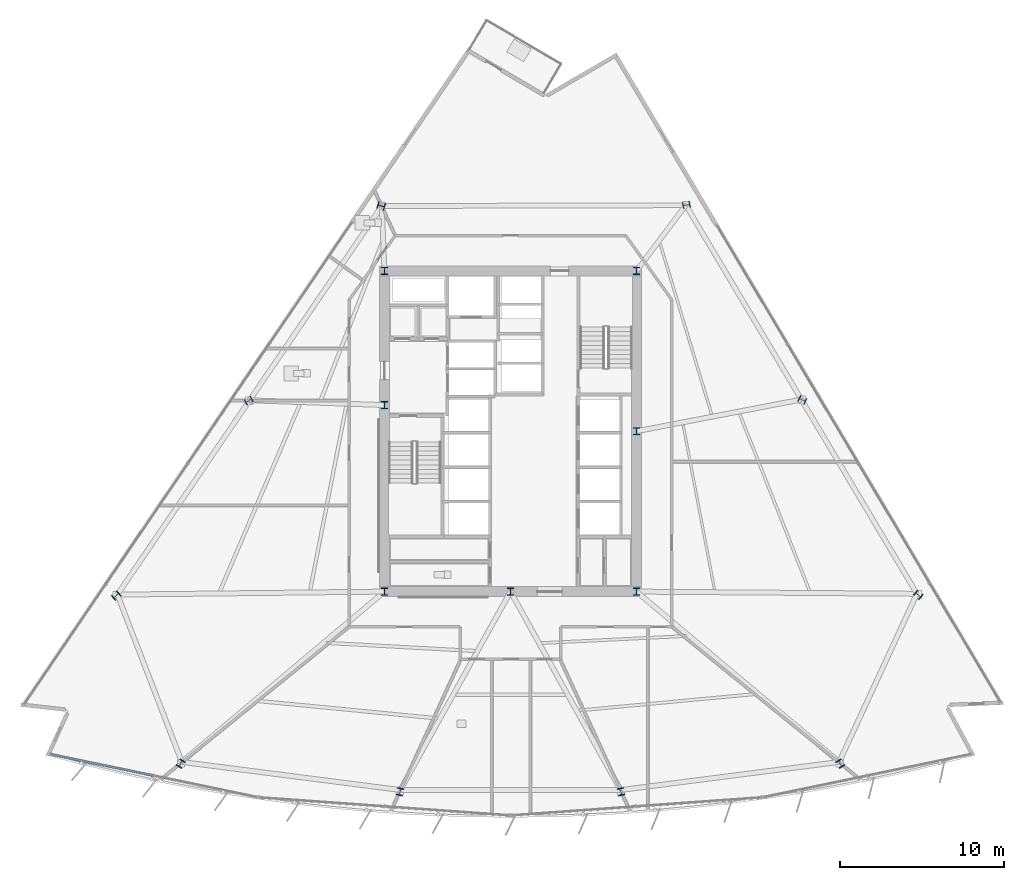
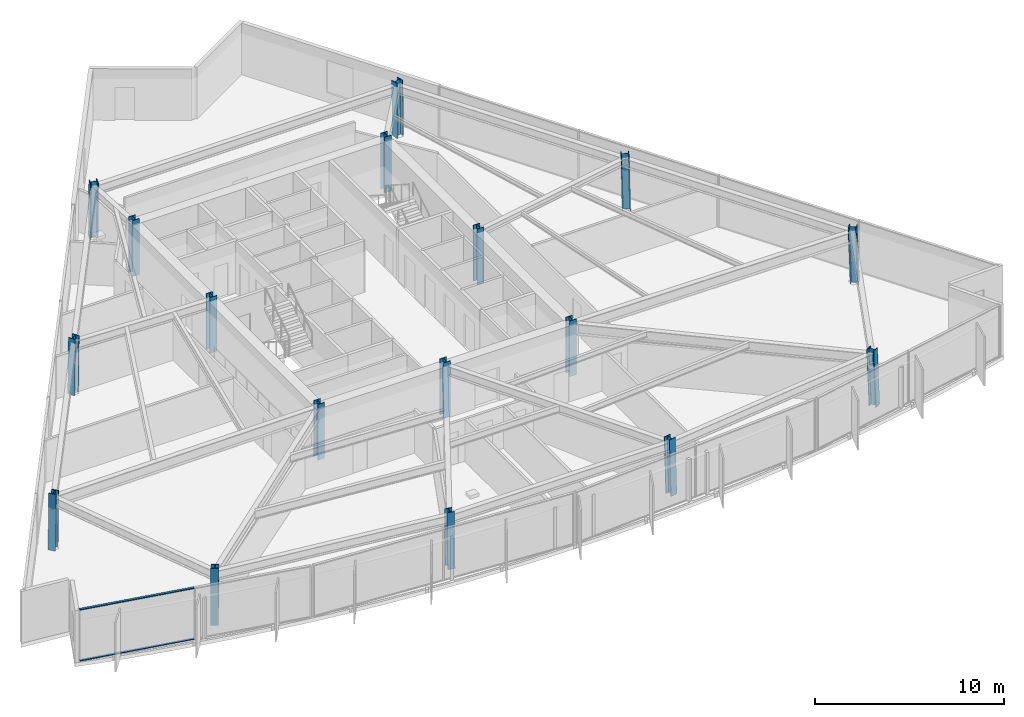
# One storey, part 1 of 18: 17 columns, 2 members, 1 element without a shape of its own.
"""IFC4 building model written with IfcOpenShell, lengths in metres."""

from ifc_helpers import new_model, si_unit, direction, frame, origin, origin_2d, place, context, subcontext, project, spatial, rectangle, i_section, extrude, material, material_profile, profile_set, type_object, element, aggregate, save


model = new_model("IFC4")

# Units and contexts
model_context = context("Model", 3, precision=1e-05, world=origin(), true_north=direction((0.0, 1.0)))
body_context = subcontext(model_context, "Body", "Model", "MODEL_VIEW")
ifc_project = project(units=[si_unit("LENGTHUNIT", "METRE"), si_unit("AREAUNIT", "SQUARE_METRE"), si_unit("VOLUMEUNIT", "CUBIC_METRE"), si_unit("PLANEANGLEUNIT", "RADIAN"), si_unit("MASSUNIT", "GRAM", prefix="KILO")], contexts=[model_context])

# Site, building, storey
site_placement = place(None, origin())
site = spatial("IfcSite", under=ifc_project, at=site_placement, CompositionType="ELEMENT")
building_placement = place(site_placement, origin())
building = spatial("IfcBuilding", under=site, at=building_placement, Name="Savorim Split Tower", CompositionType="ELEMENT")
storey_placement = place(building_placement, frame((0.0, 0.0, 37.199951171875)))
storey = spatial("IfcBuildingStorey", under=building, at=storey_placement, Name="L09", CompositionType="ELEMENT", Elevation=37.199951171875)

# Columns
ifc_material_1 = material(Name="Steel S460", Category="steel")
ifc_material_profile_1 = material_profile(ifc_material_1, i_section(OverallWidth=0.416015625, OverallDepth=0.446044921875, WebThickness=0.02490234375, FlangeThickness=0.0400390625, FilletRadius=0.014892578125, at=origin_2d()), Name="HD 400x509")
ifc_profile_set_1 = profile_set([ifc_material_profile_1], Name="Steel S460")
column_type = type_object("IfcColumnType", Name="COL-HD-509", PredefinedType="COLUMN", material=ifc_profile_set_1)
for number, where, z_axis, x_axis, name in (
    (1, (-7.699951171875, -9.39990234375, 0.0), (0.0, 0.0, 1.0), (1.0, 0.0, 0.0), "L09 Core Structural Column TC-C1"),
    (2, (7.699951171875, -9.39990234375, 0.0), (0.0, 0.0, 1.0), (1.0, 0.0, 0.0), "L09 Core Structural Column TC-C2"),
    (3, (7.699951171875, 10.199951171875, 0.0), (0.0, 0.0, 1.0), (1.0, 0.0, 0.0), "L09 Core Structural Column TC-C3"),
    (4, (-7.699951171875, 10.199951171875, 0.0), (0.0, 0.0, 1.0), (1.0, 0.0, 0.0), "L09 Core Structural Column TC-C4"),
    (5, (0.0, -9.39990234375, 0.0), (0.0, 0.0, 1.0), (1.0, 0.0, 0.0), "L09 Core Structural Column TC-C5"),
    (6, (7.699951171875, 0.39990234375, 0.0), (0.0, 0.0, 1.0), (1.0, 0.0, 0.0), "L09 Core Structural Column TC-C6"),
    (7, (-7.699951171875, 2.0, 0.0), (0.0, 0.0, 1.0), (1.0, 0.0, 0.0), "L09 Core Structural Column TC-C7"),
):
    element("IfcColumn", number, at=place(storey_placement, frame(where, z_axis=z_axis, x_axis=x_axis)), inside=storey, type_object=column_type, Name=name, PredefinedType="COLUMN", context=body_context, shape_type="SweptSolid", body=[
        extrude(i_section(OverallWidth=0.416015625, OverallDepth=0.446044921875, WebThickness=0.02490234375, FlangeThickness=0.0400390625, FilletRadius=0.014892578125, at=origin_2d()), origin(), (0.0, 0.0, 1.0), 3.60009765625),
    ])
column_1_placement = place(storey_placement, frame((-20.162109375, -19.930908203125, 0.005615234375), z_axis=(0.020664238418, 0.033511412961, 0.999224686671), x_axis=(-0.851183725565, 0.524867855115, 0.0)))
element("IfcColumn", 8, at=column_1_placement, inside=storey, type_object=column_type, Name="L09 Tapered Perimeter Column PC-S1", PredefinedType="COLUMN", context=body_context, shape_type="SweptSolid", body=[
    extrude(i_section(OverallWidth=0.416015625, OverallDepth=0.446044921875, WebThickness=0.02490234375, FlangeThickness=0.0400390625, FilletRadius=0.014892578125, at=origin_2d()), origin(), (0.0, 0.0, 1.0), 3.591552734375),
])
for number, where, z_axis, x_axis, name in (
    (9, (-6.75732421875, -21.65185546875, 0.005615234375), (0.006934288159, 0.035283289748, 0.999353293441), (-0.981229659911, 0.192842823335, 0.0), "L09 Tapered Perimeter Column PC-S2"),
    (10, (6.75732421875, -21.65185546875, 0.005615234375), (-0.006934288159, 0.035283289748, 0.999353293441), (-0.981229659911, -0.192842823335, 0.0), "L09 Tapered Perimeter Column PC-S3"),
):
    element("IfcColumn", number, at=place(storey_placement, frame(where, z_axis=z_axis, x_axis=x_axis)), inside=storey, type_object=column_type, Name=name, PredefinedType="COLUMN", context=body_context, shape_type="SweptSolid", body=[
        extrude(i_section(OverallWidth=0.416015625, OverallDepth=0.446044921875, WebThickness=0.02490234375, FlangeThickness=0.0400390625, FilletRadius=0.014892578125, at=origin_2d()), origin(), (0.0, 0.0, 1.0), 3.59130859375),
    ])
column_2_placement = place(storey_placement, frame((20.162109375, -19.930908203125, 0.005615234375), z_axis=(-0.020664238418, 0.033511412961, 0.999224686671), x_axis=(-0.851183725565, -0.524867855115, 0.0)))
element("IfcColumn", 11, at=column_2_placement, inside=storey, type_object=column_type, Name="L09 Tapered Perimeter Column PC-S4", PredefinedType="COLUMN", context=body_context, shape_type="SweptSolid", body=[
    extrude(i_section(OverallWidth=0.416015625, OverallDepth=0.446044921875, WebThickness=0.02490234375, FlangeThickness=0.0400390625, FilletRadius=0.014892578125, at=origin_2d()), origin(), (0.0, 0.0, 1.0), 3.591552734375),
])
column_3_placement = place(storey_placement, frame((24.932373046875, -9.61279296875, 0.005615234375), z_axis=(-0.026107436898, 0.021620221181, 0.999425318758), x_axis=(-0.637813971185, -0.770190455771, 0.0)))
element("IfcColumn", 12, at=column_3_placement, inside=storey, type_object=column_type, Name="L09 Tapered Perimeter Column PC-E1", PredefinedType="COLUMN", context=body_context, shape_type="SweptSolid", body=[
    extrude(i_section(OverallWidth=0.416015625, OverallDepth=0.446044921875, WebThickness=0.02490234375, FlangeThickness=0.0400390625, FilletRadius=0.014892578125, at=origin_2d()), origin(), (0.0, 0.0, 1.0), 3.5908203125),
])
column_4_placement = place(storey_placement, frame((17.845703125, 2.30517578125, 0.005615234375), z_axis=(-0.018907326549, 0.00952167524, 0.999775900241), x_axis=(-0.449781931574, -0.893138406984, 0.0)))
element("IfcColumn", 13, at=column_4_placement, inside=storey, type_object=column_type, Name="L09 Tapered Perimeter Column PC-E2", PredefinedType="COLUMN", context=body_context, shape_type="SweptSolid", body=[
    extrude(i_section(OverallWidth=0.416015625, OverallDepth=0.446044921875, WebThickness=0.02490234375, FlangeThickness=0.0400390625, FilletRadius=0.014892578125, at=origin_2d()), origin(), (0.0, 0.0, 1.0), 3.589599609375),
])
for number, where, z_axis, x_axis, name in (
    (14, (10.759033203125, 14.22314453125, 0.005615234375), (-0.011767853257, -0.00258484638, 0.999927415465), (0.214538664031, -0.976715496773, 0.0), "L09 Tapered Perimeter Column PC-E3"),
    (15, (-7.897705078125, 14.17431640625, 0.005615234375), (0.008775143007, -0.002584925847, 0.999958156636), (0.282568886397, 0.959247009086, 0.0), "L09 Tapered Perimeter Column PC-W1"),
):
    element("IfcColumn", number, at=place(storey_placement, frame(where, z_axis=z_axis, x_axis=x_axis)), inside=storey, type_object=column_type, Name=name, PredefinedType="COLUMN", context=body_context, shape_type="SweptSolid", body=[
        extrude(i_section(OverallWidth=0.416015625, OverallDepth=0.446044921875, WebThickness=0.02490234375, FlangeThickness=0.0400390625, FilletRadius=0.014892578125, at=origin_2d()), origin(), (0.0, 0.0, 1.0), 3.589111328125),
    ])
column_5_placement = place(storey_placement, frame((-16.005126953125, 2.25634765625, 0.005615234375), z_axis=(0.017003572908, 0.009522000828, 0.999810086971), x_axis=(-0.488603368932, 0.87250601595, 0.0)))
element("IfcColumn", 16, at=column_5_placement, inside=storey, type_object=column_type, Name="L09 Tapered Perimeter Column PC-W2", PredefinedType="COLUMN", context=body_context, shape_type="SweptSolid", body=[
    extrude(i_section(OverallWidth=0.416015625, OverallDepth=0.446044921875, WebThickness=0.02490234375, FlangeThickness=0.0400390625, FilletRadius=0.014892578125, at=origin_2d()), origin(), (0.0, 0.0, 1.0), 3.589599609375),
])
column_6_placement = place(storey_placement, frame((-24.11279296875, -9.66162109375, 0.005615234375), z_axis=(0.025224163578, 0.021620711639, 0.999447990843), x_axis=(-0.650791373456, 0.759256602365, 0.0)))
element("IfcColumn", 17, at=column_6_placement, inside=storey, type_object=column_type, Name="L09 Tapered Perimeter Column PC-W3", PredefinedType="COLUMN", context=body_context, shape_type="SweptSolid", body=[
    extrude(i_section(OverallWidth=0.416015625, OverallDepth=0.446044921875, WebThickness=0.02490234375, FlangeThickness=0.0400390625, FilletRadius=0.014892578125, at=origin_2d()), origin(), (0.0, 0.0, 1.0), 3.5908203125),
])

# Curtain wall, members
ifc_material_2 = material(Name="Dark Ceramic-Fritted Insulated Glass", Category="glass")
curtain_wall_type = type_object("IfcCurtainWallType", Name="CW-TWR-FRIT-A", PredefinedType="NOTDEFINED", material=ifc_material_2)
curtain_wall_placement = place(storey_placement, origin())
curtain_wall = element("IfcCurtainWall", 18, at=curtain_wall_placement, inside=storey, type_object=curtain_wall_type, Name="L09 Curtain Wall CW-L09-SF1", PredefinedType="NOTDEFINED")
ifc_material_3 = material(Name="Charcoal Anodised Aluminium", Category="aluminium")
ifc_material_profile_2 = material_profile(ifc_material_3, rectangle(XDim=0.139892578125, YDim=0.054931640625, at=origin_2d()), Name="ALU-T 140x55")
ifc_profile_set_2 = profile_set([ifc_material_profile_2], Name="Charcoal Anodised Aluminium")
member_type = type_object("IfcMemberType", Name="CWT-140x55", PredefinedType="USERDEFINED", material=ifc_profile_set_2)
member_1_placement = place(storey_placement, frame((-28.096435546875, -19.34033203125, 0.027587890625), z_axis=(0.979132403047, -0.203223368003, 0.0), x_axis=(0.203223368003, 0.979132403047, 0.0)))
member_1 = element("IfcMember", 19, at=member_1_placement, type_object=member_type, Name="CW-02 transom 1.1", ObjectType="TRANSOM", PredefinedType="USERDEFINED", context=body_context, shape_type="SweptSolid", body=[
    extrude(rectangle(XDim=0.139892578125, YDim=0.054931640625, at=origin_2d()), origin(), (0.0, 0.0, 1.0), 6.389892578125),
])
member_2_placement = place(storey_placement, frame((-28.096435546875, -19.34033203125, 3.322509765625), z_axis=(0.979132403047, -0.203223368003, 0.0), x_axis=(0.203223368003, 0.979132403047, 0.0)))
member_2 = element("IfcMember", 20, at=member_2_placement, type_object=member_type, Name="CW-02 transom 1.2", ObjectType="TRANSOM", PredefinedType="USERDEFINED", context=body_context, shape_type="SweptSolid", body=[
    extrude(rectangle(XDim=0.139892578125, YDim=0.054931640625, at=origin_2d()), origin(), (0.0, 0.0, 1.0), 6.389892578125),
])
aggregate(curtain_wall, [member_1, member_2])

save(model, "model.ifc")
